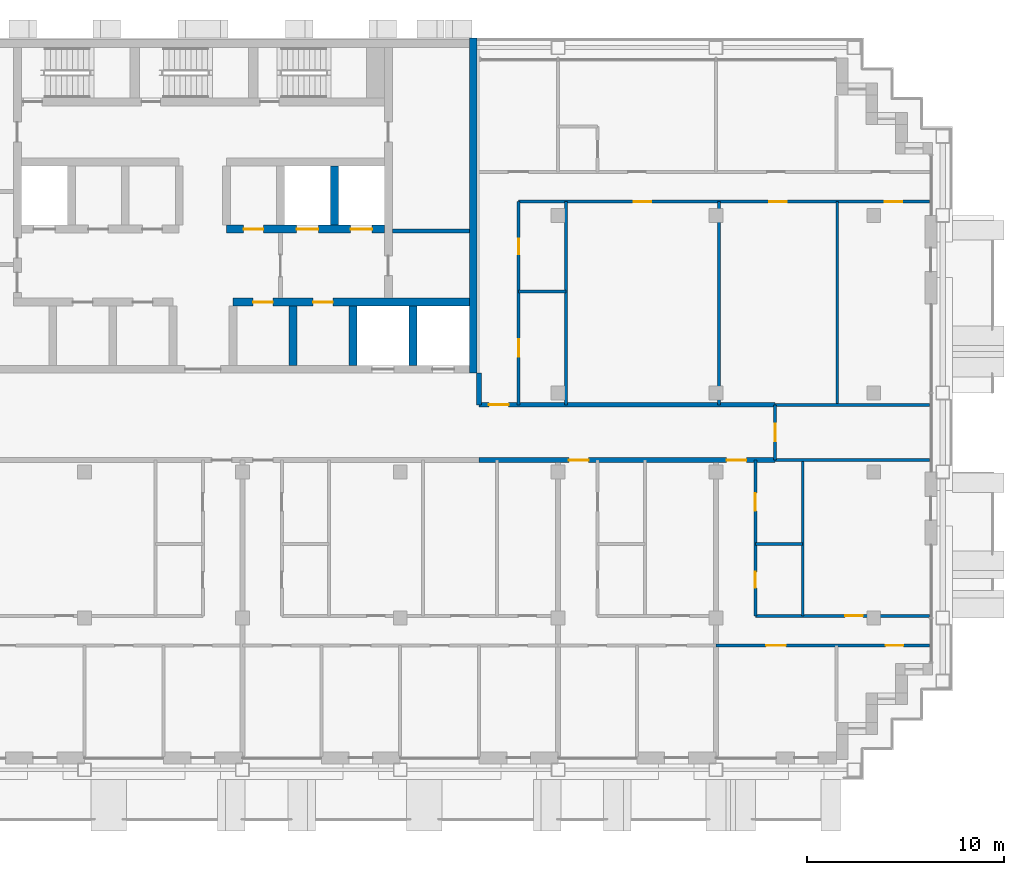
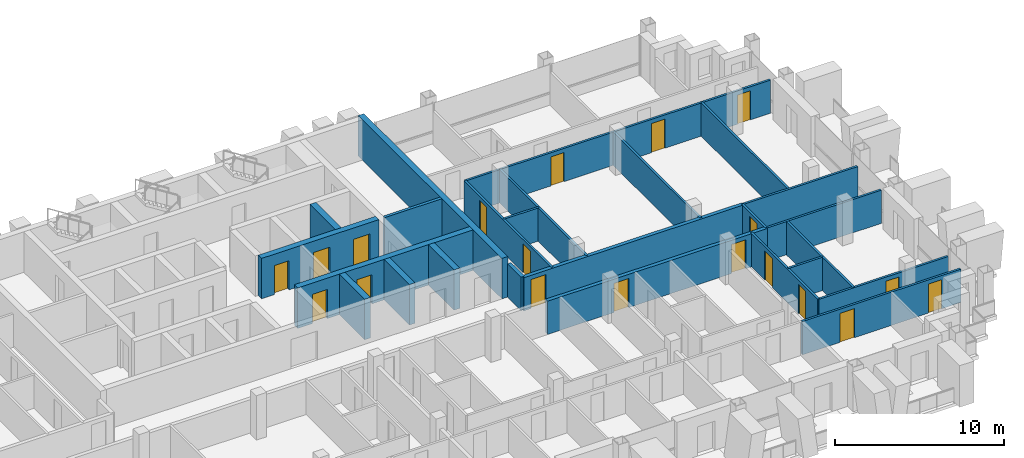
# One storey, part 10 of 16: 25 walls, 19 doors, 19 openings.
"""IFC4 building model written with IfcOpenShell, lengths in metres."""

from ifc_helpers import new_model, si_unit, direction, frame, frame_2d, origin, place, context, subcontext, project, spatial, rectangle, extrude, material, layer, layer_set, type_object, element, fill, save


model = new_model("IFC4")

# Units and contexts
model_context = context("Model", 3, precision=1e-05, world=origin(), true_north=direction((0.0, 1.0)))
body_context = subcontext(model_context, "Body", "Model", "MODEL_VIEW")
ifc_project = project(units=[si_unit("LENGTHUNIT", "METRE"), si_unit("AREAUNIT", "SQUARE_METRE"), si_unit("VOLUMEUNIT", "CUBIC_METRE"), si_unit("PLANEANGLEUNIT", "RADIAN"), si_unit("MASSUNIT", "GRAM", prefix="KILO")], contexts=[model_context])

# Site, building, storey
site_placement = place(None, origin())
site = spatial("IfcSite", under=ifc_project, at=site_placement, CompositionType="ELEMENT")
building_placement = place(site_placement, origin())
building = spatial("IfcBuilding", under=site, at=building_placement, Name="Vidyagriha Tower", CompositionType="ELEMENT")
storey_placement = place(building_placement, frame((0.0, 0.0, 181.300048828125)))
storey = spatial("IfcBuildingStorey", under=building, at=storey_placement, Name="L47", CompositionType="ELEMENT", Elevation=181.300048828125)

# Wall
ifc_material_1 = material(Name="Concrete C60/75", Category="concrete")
ifc_layer_1 = layer(ifc_material_1, 0.39990234375)
ifc_layer_set_1 = layer_set([ifc_layer_1], Name="Concrete C60/75")
wall_type_1 = type_object("IfcWallType", Name="Core shear wall 400 mm", PredefinedType="SHEAR", material=ifc_layer_set_1)
wall_1_placement = place(storey_placement, frame((13.699951171875, 3.0, 0.0), z_axis=(0.0, 0.0, 1.0), x_axis=(0.0, 1.0, 0.0)))
element("IfcWall", 1, at=wall_1_placement, inside=storey, type_object=wall_type_1, Name="Core east wall", PredefinedType="SHEAR", context=body_context, shape_type="SweptSolid", body=[
    extrude(rectangle(XDim=17.0, YDim=0.39990234375, at=frame_2d((8.5, 0.0))), origin(), (0.0, 0.0, 1.0), 2.919921875),
])

# Wall, openings, doors
wall_2_placement = place(storey_placement, frame((1.522216796875, 6.60009765625, 0.0)))
wall_2 = element("IfcWall", 2, at=wall_2_placement, inside=storey, type_object=wall_type_1, Name="Core lobby south wall east", PredefinedType="SHEAR", context=body_context, shape_type="SweptSolid", body=[
    extrude(rectangle(XDim=11.977783203125, YDim=0.39990234375, at=frame_2d((5.98876953125, 0.0))), origin(), (0.0, 0.0, 1.0), 2.919921875),
])
opening_1_placement = place(wall_2_placement, frame((1.022216796875, 0.0, 0.0)))
opening_1 = element("IfcOpeningElement", 3, at=opening_1_placement, cuts=wall_2, Name="Opening D47-04", PredefinedType="OPENING", context=body_context, shape_type="SweptSolid", body=[
    extrude(rectangle(XDim=1.0, YDim=2.10009765625, at=frame_2d((0.5, 1.050048828125))), frame((0.0, 0.2099609375, 0.0), z_axis=(0.0, -1.0, 0.0), x_axis=(1.0, 0.0, 0.0)), (0.0, 0.0, 1.0), 0.419921875),
])
opening_2_placement = place(wall_2_placement, frame((4.066650390625, 0.0, 0.0)))
opening_2 = element("IfcOpeningElement", 4, at=opening_2_placement, cuts=wall_2, Name="Opening D47-05", PredefinedType="OPENING", context=body_context, shape_type="SweptSolid", body=[
    extrude(rectangle(XDim=1.0, YDim=2.10009765625, at=frame_2d((0.5, 1.050048828125))), frame((0.0, 0.2099609375, 0.0), z_axis=(0.0, -1.0, 0.0), x_axis=(1.0, 0.0, 0.0)), (0.0, 0.0, 1.0), 0.419921875),
])
ifc_material_2 = material(Name="Hollow metal door leaf")
door_type_1 = type_object("IfcDoorType", Name="Core room door 1000 x 2100 mm EI 60", OperationType="NOTDEFINED", PredefinedType="DOOR", material=ifc_material_2)
door_1_placement = place(opening_1_placement, origin())
door_1 = element("IfcDoor", 5, at=door_1_placement, inside=storey, type_object=door_type_1, Name="Door Switchgear Room 47.03", OperationType="SINGLE_SWING_RIGHT", OverallHeight=2.10009765625, OverallWidth=1.0, PredefinedType="DOOR", context=body_context, shape_type="SweptSolid", body=[
    extrude(rectangle(XDim=1.0, YDim=2.10009765625, at=frame_2d((0.5, 1.050048828125))), frame((0.0, 0.02490234375, 0.0), z_axis=(0.0, -1.0, 0.0), x_axis=(1.0, 0.0, 0.0)), (0.0, 0.0, 1.0), 0.050048828125),
])
fill(opening_1, door_1)
door_2_placement = place(opening_2_placement, origin())
door_2 = element("IfcDoor", 6, at=door_2_placement, inside=storey, type_object=door_type_1, Name="Door Switchgear Room 47.04", OperationType="SINGLE_SWING_RIGHT", OverallHeight=2.10009765625, OverallWidth=1.0, PredefinedType="DOOR", context=body_context, shape_type="SweptSolid", body=[
    extrude(rectangle(XDim=1.0, YDim=2.10009765625, at=frame_2d((0.5, 1.050048828125))), frame((0.0, 0.02490234375, 0.0), z_axis=(0.0, -1.0, 0.0), x_axis=(1.0, 0.0, 0.0)), (0.0, 0.0, 1.0), 0.050048828125),
])
fill(opening_2, door_2)

# Walls
for number, where, z_axis, x_axis, name in (
    (7, (4.566650390625, 3.39990234375, 0.0), (0.0, 0.0, 1.0), (0.0, 1.0, 0.0), "Core bay wall S6"),
    (8, (7.611083984375, 3.39990234375, 0.0), (0.0, 0.0, 1.0), (0.0, 1.0, 0.0), "Core bay wall S7"),
    (9, (10.655517578125, 3.39990234375, 0.0), (0.0, 0.0, 1.0), (0.0, 1.0, 0.0), "Core bay wall S8"),
):
    element("IfcWall", number, at=place(storey_placement, frame(where, z_axis=z_axis, x_axis=x_axis)), inside=storey, type_object=wall_type_1, Name=name, PredefinedType="SHEAR", context=body_context, shape_type="SweptSolid", body=[
        extrude(rectangle(XDim=3.0, YDim=0.39990234375, at=frame_2d((1.5, 0.0))), origin(), (0.0, 0.0, 1.0), 2.919921875),
    ])

# Wall, openings, doors
wall_3_placement = place(storey_placement, frame((1.199951171875, 10.300048828125, 0.0)))
wall_3 = element("IfcWall", 10, at=wall_3_placement, inside=storey, type_object=wall_type_1, Name="Core row N front wall", PredefinedType="SHEAR", context=body_context, shape_type="SweptSolid", body=[
    extrude(rectangle(XDim=8.0, YDim=0.39990234375, at=frame_2d((4.0, 0.0))), origin(), (0.0, 0.0, 1.0), 2.919921875),
])
opening_3_placement = place(wall_3_placement, frame((3.550048828125, 0.0, 0.0)))
opening_3 = element("IfcOpeningElement", 11, at=opening_3_placement, cuts=wall_3, Name="Opening LD47-04", PredefinedType="OPENING", context=body_context, shape_type="SweptSolid", body=[
    extrude(rectangle(XDim=1.10009765625, YDim=2.10009765625, at=frame_2d((0.550048828125, 1.050048828125))), frame((0.0, 0.2099609375, 0.0), z_axis=(0.0, -1.0, 0.0), x_axis=(1.0, 0.0, 0.0)), (0.0, 0.0, 1.0), 0.419921875),
])
opening_4_placement = place(wall_3_placement, frame((6.283203125, 0.0, 0.0)))
opening_4 = element("IfcOpeningElement", 12, at=opening_4_placement, cuts=wall_3, Name="Opening LD47-05", PredefinedType="OPENING", context=body_context, shape_type="SweptSolid", body=[
    extrude(rectangle(XDim=1.10009765625, YDim=2.10009765625, at=frame_2d((0.550048828125, 1.050048828125))), frame((0.0, 0.2099609375, 0.0), z_axis=(0.0, -1.0, 0.0), x_axis=(1.0, 0.0, 0.0)), (0.0, 0.0, 1.0), 0.419921875),
])
opening_5_placement = place(wall_3_placement, frame((0.86669921875, 0.0, 0.0)))
opening_5 = element("IfcOpeningElement", 13, at=opening_5_placement, cuts=wall_3, Name="Opening D47-08", PredefinedType="OPENING", context=body_context, shape_type="SweptSolid", body=[
    extrude(rectangle(XDim=1.0, YDim=2.10009765625, at=frame_2d((0.5, 1.050048828125))), frame((0.0, 0.2099609375, 0.0), z_axis=(0.0, -1.0, 0.0), x_axis=(1.0, 0.0, 0.0)), (0.0, 0.0, 1.0), 0.419921875),
])
door_3_placement = place(opening_5_placement, frame((1.0, 0.0, 0.0), z_axis=(0.0, 0.0, 1.0), x_axis=(-1.0, 0.0, 0.0)))
door_3 = element("IfcDoor", 14, at=door_3_placement, inside=storey, type_object=door_type_1, Name="Door Pressurisation Plant Room 47.16", OperationType="SINGLE_SWING_LEFT", OverallHeight=2.10009765625, OverallWidth=1.0, PredefinedType="DOOR", context=body_context, shape_type="SweptSolid", body=[
    extrude(rectangle(XDim=1.0, YDim=2.10009765625, at=frame_2d((0.5, 1.050048828125))), frame((0.0, 0.02490234375, 0.0), z_axis=(0.0, -1.0, 0.0), x_axis=(1.0, 0.0, 0.0)), (0.0, 0.0, 1.0), 0.050048828125),
])
fill(opening_5, door_3)
ifc_material_3 = material(Name="Stainless steel sliding door panel", Category="steel")
door_type_2 = type_object("IfcDoorType", Name="Lift landing door 1100 x 2100 mm EI 90", OperationType="NOTDEFINED", PredefinedType="DOOR", material=ifc_material_3)
door_4_placement = place(opening_3_placement, origin())
door_4 = element("IfcDoor", 15, at=door_4_placement, inside=storey, type_object=door_type_2, Name="Landing door FF1 L47", OperationType="SLIDING_TO_LEFT", OverallHeight=2.10009765625, OverallWidth=1.10009765625, PredefinedType="DOOR", context=body_context, shape_type="SweptSolid", body=[
    extrude(rectangle(XDim=1.10009765625, YDim=2.10009765625, at=frame_2d((0.550048828125, 1.050048828125))), frame((0.0, 0.02490234375, 0.0), z_axis=(0.0, -1.0, 0.0), x_axis=(1.0, 0.0, 0.0)), (0.0, 0.0, 1.0), 0.050048828125),
])
fill(opening_3, door_4)
door_5_placement = place(opening_4_placement, origin())
door_5 = element("IfcDoor", 16, at=door_5_placement, inside=storey, type_object=door_type_2, Name="Landing door FF2 L47", OperationType="SLIDING_TO_LEFT", OverallHeight=2.10009765625, OverallWidth=1.10009765625, PredefinedType="DOOR", context=body_context, shape_type="SweptSolid", body=[
    extrude(rectangle(XDim=1.10009765625, YDim=2.10009765625, at=frame_2d((0.550048828125, 1.050048828125))), frame((0.0, 0.02490234375, 0.0), z_axis=(0.0, -1.0, 0.0), x_axis=(1.0, 0.0, 0.0)), (0.0, 0.0, 1.0), 0.050048828125),
])
fill(opening_4, door_5)

# Wall
wall_4_placement = place(storey_placement, frame((6.666748046875, 10.5, 0.0), z_axis=(0.0, 0.0, 1.0), x_axis=(0.0, 1.0, 0.0)))
element("IfcWall", 17, at=wall_4_placement, inside=storey, type_object=wall_type_1, Name="Core bay wall N6", PredefinedType="SHEAR", context=body_context, shape_type="SweptSolid", body=[
    extrude(rectangle(XDim=3.0, YDim=0.39990234375, at=frame_2d((1.5, 0.0))), origin(), (0.0, 0.0, 1.0), 2.919921875),
])

# Wall, openings, doors
ifc_material_4 = material(Name="Fired clay brick masonry", Category="masonry")
ifc_layer_2 = layer(ifc_material_4, 0.25)
ifc_layer_set_2 = layer_set([ifc_layer_2], Name="Fired clay brick masonry")
wall_type_2 = type_object("IfcWallType", Name="Fired clay brick corridor wall 250", PredefinedType="PARTITIONING", material=ifc_layer_set_2)
wall_5_placement = place(storey_placement, frame((29.0, -1.39990234375, 0.0), z_axis=(0.0, 0.0, 1.0), x_axis=(-1.0, 0.0, 0.0)))
wall_5 = element("IfcWall", 18, at=wall_5_placement, inside=storey, type_object=wall_type_2, Name="Wall all-L47-w071", PredefinedType="PARTITIONING", context=body_context, shape_type="SweptSolid", body=[
    extrude(rectangle(XDim=15.0, YDim=0.25, at=frame_2d((7.5, 0.0))), origin(), (0.0, 0.0, 1.0), 2.39990234375),
])
opening_6_placement = place(wall_5_placement, frame((9.452880859375, 0.0, 0.0)))
opening_6 = element("IfcOpeningElement", 19, at=opening_6_placement, cuts=wall_5, Name="Opening D47-44", PredefinedType="OPENING", context=body_context, shape_type="SweptSolid", body=[
    extrude(rectangle(XDim=1.0, YDim=2.10009765625, at=frame_2d((0.5, 1.050048828125))), frame((0.0, 0.135009765625, 0.0), z_axis=(0.0, -1.0, 0.0), x_axis=(1.0, 0.0, 0.0)), (0.0, 0.0, 1.0), 0.27001953125),
])
opening_7_placement = place(wall_5_placement, frame((1.452880859375, 0.0, 0.0)))
opening_7 = element("IfcOpeningElement", 20, at=opening_7_placement, cuts=wall_5, Name="Opening D47-50", PredefinedType="OPENING", context=body_context, shape_type="SweptSolid", body=[
    extrude(rectangle(XDim=1.0, YDim=2.10009765625, at=frame_2d((0.5, 1.050048828125))), frame((0.0, 0.135009765625, 0.0), z_axis=(0.0, -1.0, 0.0), x_axis=(1.0, 0.0, 0.0)), (0.0, 0.0, 1.0), 0.27001953125),
])
ifc_material_5 = material(Name="Fire-rated timber door leaf EI 60", Category="wood")
door_type_3 = type_object("IfcDoorType", Name="Flat entrance fire door 1000x2100", OperationType="NOTDEFINED", PredefinedType="DOOR", material=ifc_material_5)
door_6_placement = place(opening_6_placement, origin())
door_6 = element("IfcDoor", 21, at=door_6_placement, inside=storey, type_object=door_type_3, Name="Door D47-44", OperationType="SINGLE_SWING_RIGHT", OverallHeight=2.10009765625, OverallWidth=1.0, PredefinedType="DOOR", context=body_context, shape_type="SweptSolid", body=[
    extrude(rectangle(XDim=1.0, YDim=2.10009765625, at=frame_2d((0.5, 1.050048828125))), frame((0.0, 0.02490234375, 0.0), z_axis=(0.0, -1.0, 0.0), x_axis=(1.0, 0.0, 0.0)), (0.0, 0.0, 1.0), 0.050048828125),
])
fill(opening_6, door_6)
door_7_placement = place(opening_7_placement, origin())
door_7 = element("IfcDoor", 22, at=door_7_placement, inside=storey, type_object=door_type_3, Name="Door D47-50", OperationType="SINGLE_SWING_RIGHT", OverallHeight=2.10009765625, OverallWidth=1.0, PredefinedType="DOOR", context=body_context, shape_type="SweptSolid", body=[
    extrude(rectangle(XDim=1.0, YDim=2.10009765625, at=frame_2d((0.5, 1.050048828125))), frame((0.0, 0.02490234375, 0.0), z_axis=(0.0, -1.0, 0.0), x_axis=(1.0, 0.0, 0.0)), (0.0, 0.0, 1.0), 0.050048828125),
])
fill(opening_7, door_7)

# Wall, opening, door
wall_6_placement = place(storey_placement, frame((14.0, 1.39990234375, 0.0)))
wall_6 = element("IfcWall", 23, at=wall_6_placement, inside=storey, type_object=wall_type_2, Name="Wall all-L47-w109", PredefinedType="PARTITIONING", context=body_context, shape_type="SweptSolid", body=[
    extrude(rectangle(XDim=15.0, YDim=0.25, at=frame_2d((7.5, 0.0))), origin(), (0.0, 0.0, 1.0), 2.39990234375),
])
opening_8_placement = place(wall_6_placement, frame((0.5, 0.0, 0.0)))
opening_8 = element("IfcOpeningElement", 24, at=opening_8_placement, cuts=wall_6, Name="Opening D47-67", PredefinedType="OPENING", context=body_context, shape_type="SweptSolid", body=[
    extrude(rectangle(XDim=1.0, YDim=2.10009765625, at=frame_2d((0.5, 1.050048828125))), frame((0.0, 0.135009765625, 0.0), z_axis=(0.0, -1.0, 0.0), x_axis=(1.0, 0.0, 0.0)), (0.0, 0.0, 1.0), 0.27001953125),
])
door_8_placement = place(opening_8_placement, origin())
door_8 = element("IfcDoor", 25, at=door_8_placement, inside=storey, type_object=door_type_3, Name="Door D47-67", OperationType="SINGLE_SWING_LEFT", OverallHeight=2.10009765625, OverallWidth=1.0, PredefinedType="DOOR", context=body_context, shape_type="SweptSolid", body=[
    extrude(rectangle(XDim=1.0, YDim=2.10009765625, at=frame_2d((0.5, 1.050048828125))), frame((0.0, 0.02490234375, 0.0), z_axis=(0.0, -1.0, 0.0), x_axis=(1.0, 0.0, 0.0)), (0.0, 0.0, 1.0), 0.050048828125),
])
fill(opening_8, door_8)

# Walls
wall_7_placement = place(storey_placement, frame((14.0, 1.39990234375, 0.0), z_axis=(0.0, 0.0, 1.0), x_axis=(0.0, 1.0, 0.0)))
element("IfcWall", 26, at=wall_7_placement, inside=storey, type_object=wall_type_2, Name="Wall all-L47-w115", PredefinedType="PARTITIONING", context=body_context, shape_type="SweptSolid", body=[
    extrude(rectangle(XDim=1.60009765625, YDim=0.25, at=frame_2d((0.800048828125, 0.0))), origin(), (0.0, 0.0, 1.0), 2.39990234375),
])
ifc_material_6 = material(Name="Gypsum board partition")
ifc_layer_3 = layer(ifc_material_6, 0.14990234375)
ifc_layer_set_3 = layer_set([ifc_layer_3], Name="Gypsum board partition")
wall_type_3 = type_object("IfcWallType", Name="Gypsum board partition 150", PredefinedType="PARTITIONING", material=ifc_layer_set_3)
wall_8_placement = place(storey_placement, frame((30.39990234375, -5.64990234375, 0.0), z_axis=(0.0, 0.0, 1.0), x_axis=(-1.0, 0.0, 0.0)))
element("IfcWall", 27, at=wall_8_placement, inside=storey, type_object=wall_type_3, Name="Wall all-L47-w060", PredefinedType="PARTITIONING", context=body_context, shape_type="SweptSolid", body=[
    extrude(rectangle(XDim=2.39990234375, YDim=0.14990234375, at=frame_2d((1.199951171875, 0.0))), origin(), (0.0, 0.0, 1.0), 2.39990234375),
])
wall_9_placement = place(storey_placement, frame((30.39990234375, -1.39990234375, 0.0), z_axis=(0.0, 0.0, 1.0), x_axis=(0.0, -1.0, 0.0)))
element("IfcWall", 28, at=wall_9_placement, inside=storey, type_object=wall_type_3, Name="Wall all-L47-w061", PredefinedType="PARTITIONING", context=body_context, shape_type="SweptSolid", body=[
    extrude(rectangle(XDim=7.900146484375, YDim=0.14990234375, at=frame_2d((3.9501953125, 0.0))), origin(), (0.0, 0.0, 1.0), 2.39990234375),
])

# Wall, opening, door
wall_10_placement = place(storey_placement, frame((28.0, -9.300048828125, 0.0)))
wall_10 = element("IfcWall", 29, at=wall_10_placement, inside=storey, type_object=wall_type_3, Name="Wall all-L47-w062", PredefinedType="PARTITIONING", context=body_context, shape_type="SweptSolid", body=[
    extrude(rectangle(XDim=8.820068359375, YDim=0.14990234375, at=frame_2d((4.41015625, 0.0))), origin(), (0.0, 0.0, 1.0), 2.39990234375),
])
opening_9_placement = place(wall_10_placement, frame((4.552978515625, 0.0, 0.0)))
opening_9 = element("IfcOpeningElement", 30, at=opening_9_placement, cuts=wall_10, Name="Opening D47-47", PredefinedType="OPENING", context=body_context, shape_type="SweptSolid", body=[
    extrude(rectangle(XDim=0.89990234375, YDim=2.10009765625, at=frame_2d((0.449951171875, 1.050048828125))), frame((0.0, 0.0849609375, 0.0), z_axis=(0.0, -1.0, 0.0), x_axis=(1.0, 0.0, 0.0)), (0.0, 0.0, 1.0), 0.169921875),
])
ifc_material_7 = material(Name="Timber door leaf", Category="wood")
door_type_4 = type_object("IfcDoorType", Name="Room door 900x2100", OperationType="NOTDEFINED", PredefinedType="DOOR", material=ifc_material_7)
door_9_placement = place(opening_9_placement, origin())
door_9 = element("IfcDoor", 31, at=door_9_placement, inside=storey, type_object=door_type_4, Name="Door D47-47", OperationType="SINGLE_SWING_LEFT", OverallHeight=2.10009765625, OverallWidth=0.89990234375, PredefinedType="DOOR", context=body_context, shape_type="SweptSolid", body=[
    extrude(rectangle(XDim=0.89990234375, YDim=2.10009765625, at=frame_2d((0.449951171875, 1.050048828125))), frame((0.0, 0.02490234375, 0.0), z_axis=(0.0, -1.0, 0.0), x_axis=(1.0, 0.0, 0.0)), (0.0, 0.0, 1.0), 0.050048828125),
])
fill(opening_9, door_9)

# Wall, openings, doors
wall_11_placement = place(storey_placement, frame((36.820068359375, -10.800048828125, 0.0), z_axis=(0.0, 0.0, 1.0), x_axis=(-1.0, 0.0, 0.0)))
wall_11 = element("IfcWall", 32, at=wall_11_placement, inside=storey, type_object=wall_type_3, Name="Wall all-L47-w064", PredefinedType="PARTITIONING", context=body_context, shape_type="SweptSolid", body=[
    extrude(rectangle(XDim=10.820068359375, YDim=0.14990234375, at=frame_2d((5.41015625, 0.0))), origin(), (0.0, 0.0, 1.0), 2.39990234375),
])
opening_10_placement = place(wall_11_placement, frame((7.27001953125, 0.0, 0.0)))
opening_10 = element("IfcOpeningElement", 33, at=opening_10_placement, cuts=wall_11, Name="Opening D47-48", PredefinedType="OPENING", context=body_context, shape_type="SweptSolid", body=[
    extrude(rectangle(XDim=1.0, YDim=2.10009765625, at=frame_2d((0.5, 1.050048828125))), frame((0.0, 0.0849609375, 0.0), z_axis=(0.0, -1.0, 0.0), x_axis=(1.0, 0.0, 0.0)), (0.0, 0.0, 1.0), 0.169921875),
])
opening_11_placement = place(wall_11_placement, frame((1.322998046875, 0.0, 0.0)))
opening_11 = element("IfcOpeningElement", 34, at=opening_11_placement, cuts=wall_11, Name="Opening D47-49", PredefinedType="OPENING", context=body_context, shape_type="SweptSolid", body=[
    extrude(rectangle(XDim=0.89990234375, YDim=2.10009765625, at=frame_2d((0.449951171875, 1.050048828125))), frame((0.0, 0.0849609375, 0.0), z_axis=(0.0, -1.0, 0.0), x_axis=(1.0, 0.0, 0.0)), (0.0, 0.0, 1.0), 0.169921875),
])
ifc_material_8 = material(Name="Timber door leaf", Category="wood")
door_type_5 = type_object("IfcDoorType", Name="Room door 1000x2100", OperationType="NOTDEFINED", PredefinedType="DOOR", material=ifc_material_8)
door_10_placement = place(opening_10_placement, origin())
door_10 = element("IfcDoor", 35, at=door_10_placement, inside=storey, type_object=door_type_5, Name="Door D47-48", OperationType="SINGLE_SWING_RIGHT", OverallHeight=2.10009765625, OverallWidth=1.0, PredefinedType="DOOR", context=body_context, shape_type="SweptSolid", body=[
    extrude(rectangle(XDim=1.0, YDim=2.10009765625, at=frame_2d((0.5, 1.050048828125))), frame((0.0, 0.02490234375, 0.0), z_axis=(0.0, -1.0, 0.0), x_axis=(1.0, 0.0, 0.0)), (0.0, 0.0, 1.0), 0.050048828125),
])
fill(opening_10, door_10)
door_11_placement = place(opening_11_placement, origin())
door_11 = element("IfcDoor", 36, at=door_11_placement, inside=storey, type_object=door_type_4, Name="Door D47-49", OperationType="SINGLE_SWING_LEFT", OverallHeight=2.10009765625, OverallWidth=0.89990234375, PredefinedType="DOOR", context=body_context, shape_type="SweptSolid", body=[
    extrude(rectangle(XDim=0.89990234375, YDim=2.10009765625, at=frame_2d((0.449951171875, 1.050048828125))), frame((0.0, 0.02490234375, 0.0), z_axis=(0.0, -1.0, 0.0), x_axis=(1.0, 0.0, 0.0)), (0.0, 0.0, 1.0), 0.050048828125),
])
fill(opening_11, door_11)

# Walls
wall_12_placement = place(storey_placement, frame((36.820068359375, -1.39990234375, 0.0), z_axis=(0.0, 0.0, 1.0), x_axis=(-1.0, 0.0, 0.0)))
element("IfcWall", 37, at=wall_12_placement, inside=storey, type_object=wall_type_3, Name="Wall all-L47-w072", PredefinedType="PARTITIONING", context=body_context, shape_type="SweptSolid", body=[
    extrude(rectangle(XDim=7.820068359375, YDim=0.14990234375, at=frame_2d((3.91015625, 0.0))), origin(), (0.0, 0.0, 1.0), 2.39990234375),
])
wall_13_placement = place(storey_placement, frame((16.0, 7.14990234375, 0.0)))
element("IfcWall", 38, at=wall_13_placement, inside=storey, type_object=wall_type_3, Name="Wall all-L47-w089", PredefinedType="PARTITIONING", context=body_context, shape_type="SweptSolid", body=[
    extrude(rectangle(XDim=2.39990234375, YDim=0.14990234375, at=frame_2d((1.199951171875, 0.0))), origin(), (0.0, 0.0, 1.0), 2.39990234375),
])
for number, where, z_axis, x_axis, name in (
    (39, (18.39990234375, 11.699951171875, 0.0), (0.0, 0.0, 1.0), (0.0, -1.0, 0.0), "Wall all-L47-w090"),
    (40, (26.14990234375, 11.699951171875, 0.0), (0.0, 0.0, 1.0), (0.0, -1.0, 0.0), "Wall all-L47-w091"),
    (41, (32.14990234375, 11.699951171875, 0.0), (0.0, 0.0, 1.0), (0.0, -1.0, 0.0), "Wall all-L47-w092"),
):
    element("IfcWall", number, at=place(storey_placement, frame(where, z_axis=z_axis, x_axis=x_axis)), inside=storey, type_object=wall_type_3, Name=name, PredefinedType="PARTITIONING", context=body_context, shape_type="SweptSolid", body=[
        extrude(rectangle(XDim=10.300048828125, YDim=0.14990234375, at=frame_2d((5.14990234375, 0.0))), origin(), (0.0, 0.0, 1.0), 2.39990234375),
    ])

# Wall, openings, doors
wall_14_placement = place(storey_placement, frame((36.820068359375, 11.699951171875, 0.0), z_axis=(0.0, 0.0, 1.0), x_axis=(-1.0, 0.0, 0.0)))
wall_14 = element("IfcWall", 42, at=wall_14_placement, inside=storey, type_object=wall_type_3, Name="Wall all-L47-w093", PredefinedType="PARTITIONING", context=body_context, shape_type="SweptSolid", body=[
    extrude(rectangle(XDim=20.820068359375, YDim=0.14990234375, at=frame_2d((10.41015625, 0.0))), origin(), (0.0, 0.0, 1.0), 2.39990234375),
])
opening_12_placement = place(wall_14_placement, frame((14.094970703125, 0.0, 0.0)))
opening_12 = element("IfcOpeningElement", 43, at=opening_12_placement, cuts=wall_14, Name="Opening D47-59", PredefinedType="OPENING", context=body_context, shape_type="SweptSolid", body=[
    extrude(rectangle(XDim=0.89990234375, YDim=2.10009765625, at=frame_2d((0.449951171875, 1.050048828125))), frame((0.0, 0.0849609375, 0.0), z_axis=(0.0, -1.0, 0.0), x_axis=(1.0, 0.0, 0.0)), (0.0, 0.0, 1.0), 0.169921875),
])
opening_13_placement = place(wall_14_placement, frame((7.219970703125, 0.0, 0.0)))
opening_13 = element("IfcOpeningElement", 44, at=opening_13_placement, cuts=wall_14, Name="Opening D47-60", PredefinedType="OPENING", context=body_context, shape_type="SweptSolid", body=[
    extrude(rectangle(XDim=0.89990234375, YDim=2.10009765625, at=frame_2d((0.449951171875, 1.050048828125))), frame((0.0, 0.0849609375, 0.0), z_axis=(0.0, -1.0, 0.0), x_axis=(1.0, 0.0, 0.0)), (0.0, 0.0, 1.0), 0.169921875),
])
opening_14_placement = place(wall_14_placement, frame((1.373046875, 0.0, 0.0)))
opening_14 = element("IfcOpeningElement", 45, at=opening_14_placement, cuts=wall_14, Name="Opening D47-61", PredefinedType="OPENING", context=body_context, shape_type="SweptSolid", body=[
    extrude(rectangle(XDim=0.89990234375, YDim=2.10009765625, at=frame_2d((0.449951171875, 1.050048828125))), frame((0.0, 0.0849609375, 0.0), z_axis=(0.0, -1.0, 0.0), x_axis=(1.0, 0.0, 0.0)), (0.0, 0.0, 1.0), 0.169921875),
])
door_12_placement = place(opening_12_placement, origin())
door_12 = element("IfcDoor", 46, at=door_12_placement, inside=storey, type_object=door_type_4, Name="Door D47-59", OperationType="SINGLE_SWING_RIGHT", OverallHeight=2.10009765625, OverallWidth=0.89990234375, PredefinedType="DOOR", context=body_context, shape_type="SweptSolid", body=[
    extrude(rectangle(XDim=0.89990234375, YDim=2.10009765625, at=frame_2d((0.449951171875, 1.050048828125))), frame((0.0, 0.02490234375, 0.0), z_axis=(0.0, -1.0, 0.0), x_axis=(1.0, 0.0, 0.0)), (0.0, 0.0, 1.0), 0.050048828125),
])
fill(opening_12, door_12)
door_13_placement = place(opening_13_placement, origin())
door_13 = element("IfcDoor", 47, at=door_13_placement, inside=storey, type_object=door_type_4, Name="Door D47-60", OperationType="SINGLE_SWING_RIGHT", OverallHeight=2.10009765625, OverallWidth=0.89990234375, PredefinedType="DOOR", context=body_context, shape_type="SweptSolid", body=[
    extrude(rectangle(XDim=0.89990234375, YDim=2.10009765625, at=frame_2d((0.449951171875, 1.050048828125))), frame((0.0, 0.02490234375, 0.0), z_axis=(0.0, -1.0, 0.0), x_axis=(1.0, 0.0, 0.0)), (0.0, 0.0, 1.0), 0.050048828125),
])
fill(opening_13, door_13)
door_14_placement = place(opening_14_placement, origin())
door_14 = element("IfcDoor", 48, at=door_14_placement, inside=storey, type_object=door_type_4, Name="Door D47-61", OperationType="SINGLE_SWING_LEFT", OverallHeight=2.10009765625, OverallWidth=0.89990234375, PredefinedType="DOOR", context=body_context, shape_type="SweptSolid", body=[
    extrude(rectangle(XDim=0.89990234375, YDim=2.10009765625, at=frame_2d((0.449951171875, 1.050048828125))), frame((0.0, 0.02490234375, 0.0), z_axis=(0.0, -1.0, 0.0), x_axis=(1.0, 0.0, 0.0)), (0.0, 0.0, 1.0), 0.050048828125),
])
fill(opening_14, door_14)

# Wall
wall_15_placement = place(storey_placement, frame((29.0, 1.39990234375, 0.0)))
element("IfcWall", 49, at=wall_15_placement, inside=storey, type_object=wall_type_3, Name="Wall all-L47-w110", PredefinedType="PARTITIONING", context=body_context, shape_type="SweptSolid", body=[
    extrude(rectangle(XDim=7.820068359375, YDim=0.14990234375, at=frame_2d((3.91015625, 0.0))), origin(), (0.0, 0.0, 1.0), 2.39990234375),
])

# Wall, opening, door
wall_16_placement = place(storey_placement, frame((29.0, -1.39990234375, 0.0), z_axis=(0.0, 0.0, 1.0), x_axis=(0.0, 1.0, 0.0)))
wall_16 = element("IfcWall", 50, at=wall_16_placement, inside=storey, type_object=wall_type_3, Name="Wall all-L47-w111", PredefinedType="PARTITIONING", context=body_context, shape_type="SweptSolid", body=[
    extrude(rectangle(XDim=2.7998046875, YDim=0.14990234375, at=frame_2d((1.39990234375, 0.0))), origin(), (0.0, 0.0, 1.0), 2.39990234375),
])
opening_15_placement = place(wall_16_placement, frame((0.949951171875, 0.0, 0.0)))
opening_15 = element("IfcOpeningElement", 51, at=opening_15_placement, cuts=wall_16, Name="Opening D47-68", PredefinedType="OPENING", context=body_context, shape_type="SweptSolid", body=[
    extrude(rectangle(XDim=0.89990234375, YDim=2.10009765625, at=frame_2d((0.449951171875, 1.050048828125))), frame((0.0, 0.0849609375, 0.0), z_axis=(0.0, -1.0, 0.0), x_axis=(1.0, 0.0, 0.0)), (0.0, 0.0, 1.0), 0.169921875),
])
door_15_placement = place(opening_15_placement, origin())
door_15 = element("IfcDoor", 52, at=door_15_placement, inside=storey, type_object=door_type_4, Name="Door D47-68", OperationType="SINGLE_SWING_RIGHT", OverallHeight=2.10009765625, OverallWidth=0.89990234375, PredefinedType="DOOR", context=body_context, shape_type="SweptSolid", body=[
    extrude(rectangle(XDim=0.89990234375, YDim=2.10009765625, at=frame_2d((0.449951171875, 1.050048828125))), frame((0.0, 0.02490234375, 0.0), z_axis=(0.0, -1.0, 0.0), x_axis=(1.0, 0.0, 0.0)), (0.0, 0.0, 1.0), 0.050048828125),
])
fill(opening_15, door_15)

# Wall, openings, doors
ifc_material_9 = material(Name="Moisture resistant gypsum board partition")
ifc_layer_4 = layer(ifc_material_9, 0.14990234375)
ifc_layer_set_4 = layer_set([ifc_layer_4], Name="Moisture resistant gypsum board partition")
wall_type_4 = type_object("IfcWallType", Name="Gypsum board wet-area partition 150", PredefinedType="PARTITIONING", material=ifc_layer_set_4)
wall_17_placement = place(storey_placement, frame((28.0, -1.39990234375, 0.0), z_axis=(0.0, 0.0, 1.0), x_axis=(0.0, -1.0, 0.0)))
wall_17 = element("IfcWall", 53, at=wall_17_placement, inside=storey, type_object=wall_type_4, Name="Wall all-L47-w057", PredefinedType="PARTITIONING", context=body_context, shape_type="SweptSolid", body=[
    extrude(rectangle(XDim=7.900146484375, YDim=0.14990234375, at=frame_2d((3.9501953125, 0.0))), origin(), (0.0, 0.0, 1.0), 2.39990234375),
])
opening_16_placement = place(wall_17_placement, frame((1.675048828125, 0.0, 0.0)))
opening_16 = element("IfcOpeningElement", 54, at=opening_16_placement, cuts=wall_17, Name="Opening D47-45", PredefinedType="OPENING", context=body_context, shape_type="SweptSolid", body=[
    extrude(rectangle(XDim=0.89990234375, YDim=2.10009765625, at=frame_2d((0.449951171875, 1.050048828125))), frame((0.0, 0.0849609375, 0.0), z_axis=(0.0, -1.0, 0.0), x_axis=(1.0, 0.0, 0.0)), (0.0, 0.0, 1.0), 0.169921875),
])
opening_17_placement = place(wall_17_placement, frame((5.675048828125, 0.0, 0.0)))
opening_17 = element("IfcOpeningElement", 55, at=opening_17_placement, cuts=wall_17, Name="Opening D47-46", PredefinedType="OPENING", context=body_context, shape_type="SweptSolid", body=[
    extrude(rectangle(XDim=0.800048828125, YDim=2.10009765625, at=frame_2d((0.39990234375, 1.050048828125))), frame((0.0, 0.0849609375, 0.0), z_axis=(0.0, -1.0, 0.0), x_axis=(1.0, 0.0, 0.0)), (0.0, 0.0, 1.0), 0.169921875),
])
ifc_material_10 = material(Name="Timber door leaf", Category="wood")
door_type_6 = type_object("IfcDoorType", Name="Bathroom door 800x2100", OperationType="NOTDEFINED", PredefinedType="DOOR", material=ifc_material_10)
door_16_placement = place(opening_17_placement, origin())
door_16 = element("IfcDoor", 56, at=door_16_placement, inside=storey, type_object=door_type_6, Name="Door D47-46", OperationType="SINGLE_SWING_LEFT", OverallHeight=2.10009765625, OverallWidth=0.800048828125, PredefinedType="DOOR", context=body_context, shape_type="SweptSolid", body=[
    extrude(rectangle(XDim=0.800048828125, YDim=2.10009765625, at=frame_2d((0.39990234375, 1.050048828125))), frame((0.0, 0.02490234375, 0.0), z_axis=(0.0, -1.0, 0.0), x_axis=(1.0, 0.0, 0.0)), (0.0, 0.0, 1.0), 0.050048828125),
])
fill(opening_17, door_16)
ifc_material_11 = material(Name="Timber door leaf", Category="wood")
door_type_7 = type_object("IfcDoorType", Name="Kitchen door 900x2100", OperationType="NOTDEFINED", PredefinedType="DOOR", material=ifc_material_11)
door_17_placement = place(opening_16_placement, origin())
door_17 = element("IfcDoor", 57, at=door_17_placement, inside=storey, type_object=door_type_7, Name="Door D47-45", OperationType="SINGLE_SWING_LEFT", OverallHeight=2.10009765625, OverallWidth=0.89990234375, PredefinedType="DOOR", context=body_context, shape_type="SweptSolid", body=[
    extrude(rectangle(XDim=0.89990234375, YDim=2.10009765625, at=frame_2d((0.449951171875, 1.050048828125))), frame((0.0, 0.02490234375, 0.0), z_axis=(0.0, -1.0, 0.0), x_axis=(1.0, 0.0, 0.0)), (0.0, 0.0, 1.0), 0.050048828125),
])
fill(opening_16, door_17)

wall_18_placement = place(storey_placement, frame((16.0, 11.699951171875, 0.0), z_axis=(0.0, 0.0, 1.0), x_axis=(0.0, -1.0, 0.0)))
wall_18 = element("IfcWall", 58, at=wall_18_placement, inside=storey, type_object=wall_type_4, Name="Wall all-L47-w086", PredefinedType="PARTITIONING", context=body_context, shape_type="SweptSolid", body=[
    extrude(rectangle(XDim=10.300048828125, YDim=0.14990234375, at=frame_2d((5.14990234375, 0.0))), origin(), (0.0, 0.0, 1.0), 2.39990234375),
])
opening_18_placement = place(wall_18_placement, frame((6.97509765625, 0.0, 0.0)))
opening_18 = element("IfcOpeningElement", 59, at=opening_18_placement, cuts=wall_18, Name="Opening D47-57", PredefinedType="OPENING", context=body_context, shape_type="SweptSolid", body=[
    extrude(rectangle(XDim=0.89990234375, YDim=2.10009765625, at=frame_2d((0.449951171875, 1.050048828125))), frame((0.0, 0.0849609375, 0.0), z_axis=(0.0, -1.0, 0.0), x_axis=(1.0, 0.0, 0.0)), (0.0, 0.0, 1.0), 0.169921875),
])
opening_19_placement = place(wall_18_placement, frame((1.875, 0.0, 0.0)))
opening_19 = element("IfcOpeningElement", 60, at=opening_19_placement, cuts=wall_18, Name="Opening D47-58", PredefinedType="OPENING", context=body_context, shape_type="SweptSolid", body=[
    extrude(rectangle(XDim=0.800048828125, YDim=2.10009765625, at=frame_2d((0.39990234375, 1.050048828125))), frame((0.0, 0.0849609375, 0.0), z_axis=(0.0, -1.0, 0.0), x_axis=(1.0, 0.0, 0.0)), (0.0, 0.0, 1.0), 0.169921875),
])
door_18_placement = place(opening_19_placement, origin())
door_18 = element("IfcDoor", 61, at=door_18_placement, inside=storey, type_object=door_type_6, Name="Door D47-58", OperationType="SINGLE_SWING_LEFT", OverallHeight=2.10009765625, OverallWidth=0.800048828125, PredefinedType="DOOR", context=body_context, shape_type="SweptSolid", body=[
    extrude(rectangle(XDim=0.800048828125, YDim=2.10009765625, at=frame_2d((0.39990234375, 1.050048828125))), frame((0.0, 0.02490234375, 0.0), z_axis=(0.0, -1.0, 0.0), x_axis=(1.0, 0.0, 0.0)), (0.0, 0.0, 1.0), 0.050048828125),
])
fill(opening_19, door_18)
door_19_placement = place(opening_18_placement, origin())
door_19 = element("IfcDoor", 62, at=door_19_placement, inside=storey, type_object=door_type_7, Name="Door D47-57", OperationType="SINGLE_SWING_LEFT", OverallHeight=2.10009765625, OverallWidth=0.89990234375, PredefinedType="DOOR", context=body_context, shape_type="SweptSolid", body=[
    extrude(rectangle(XDim=0.89990234375, YDim=2.10009765625, at=frame_2d((0.449951171875, 1.050048828125))), frame((0.0, 0.02490234375, 0.0), z_axis=(0.0, -1.0, 0.0), x_axis=(1.0, 0.0, 0.0)), (0.0, 0.0, 1.0), 0.050048828125),
])
fill(opening_18, door_19)

# Wall
ifc_material_12 = material(Name="Blockwork 15 MPa", Category="masonry")
ifc_layer_5 = layer(ifc_material_12, 0.199951171875)
ifc_layer_set_5 = layer_set([ifc_layer_5], Name="Blockwork 15 MPa")
wall_type_5 = type_object("IfcWallType", Name="Service room partition 200 mm", PredefinedType="PARTITIONING", material=ifc_layer_set_5)
wall_19_placement = place(storey_placement, frame((9.60009765625, 10.199951171875, 0.0)))
element("IfcWall", 63, at=wall_19_placement, inside=storey, type_object=wall_type_5, Name="Core room partition E1", PredefinedType="PARTITIONING", context=body_context, shape_type="SweptSolid", body=[
    extrude(rectangle(XDim=3.89990234375, YDim=0.199951171875, at=frame_2d((1.949951171875, 0.0))), origin(), (0.0, 0.0, 1.0), 2.919921875),
])

save(model, "model.ifc")
